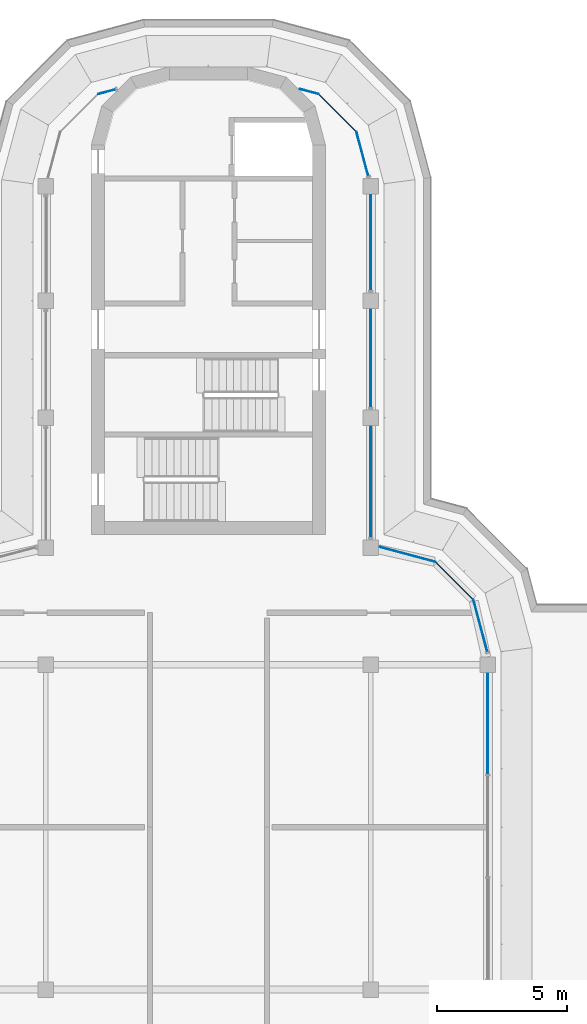
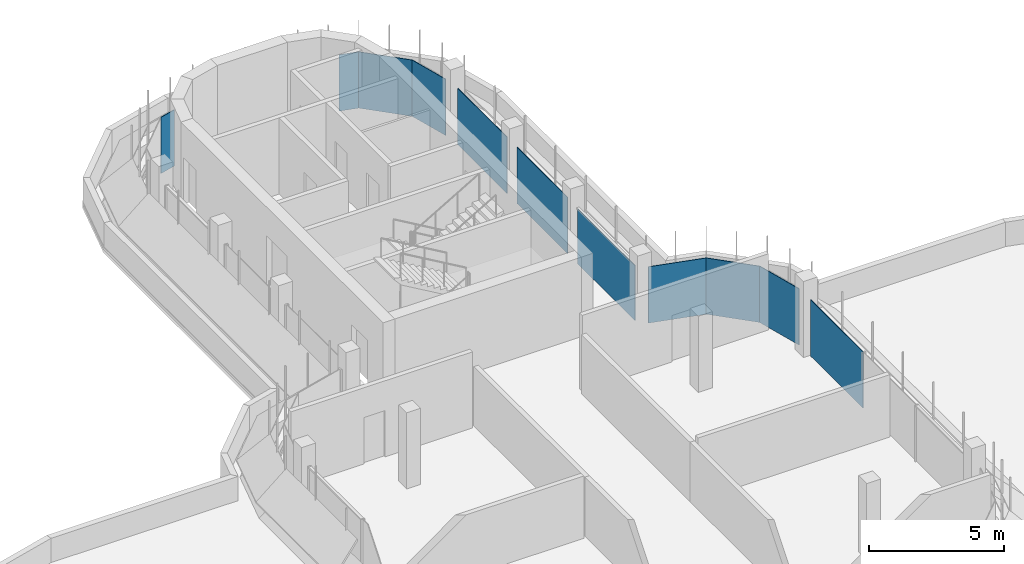
# One storey, part 7 of 13: 11 plates, 9 elements without a shape of their own.
"""IFC4 building model written with IfcOpenShell, lengths in metres."""

from ifc_helpers import new_model, si_unit, direction, frame, origin, place, context, subcontext, project, spatial, polyline, outline, extrude, source, transform, mapped, material, layer, layer_set, type_object, element, aggregate, save


model = new_model("IFC4")

# Units and contexts
model_context = context("Model", 3, precision=1e-05, world=origin(), true_north=direction((0.0, 1.0)))
body_context = subcontext(model_context, "Body", "Model", "MODEL_VIEW")
ifc_project = project(units=[si_unit("LENGTHUNIT", "METRE"), si_unit("AREAUNIT", "SQUARE_METRE"), si_unit("VOLUMEUNIT", "CUBIC_METRE"), si_unit("PLANEANGLEUNIT", "RADIAN"), si_unit("MASSUNIT", "GRAM", prefix="KILO")], contexts=[model_context])

# Site, building, storey
site_placement = place(None, origin())
site = spatial("IfcSite", under=ifc_project, at=site_placement, CompositionType="ELEMENT")
building_placement = place(site_placement, origin())
building = spatial("IfcBuilding", under=site, at=building_placement, Name="Zarbagh Exchange Tower", CompositionType="ELEMENT")
storey_placement = place(building_placement, frame((0.0, 0.0, 298.800048828125)))
storey = spatial("IfcBuildingStorey", under=building, at=storey_placement, Name="L73", CompositionType="ELEMENT", Elevation=298.800048828125)

# Curtain wall, plate
ifc_material_1 = material(Name="Anodised aluminium frame and glazing", Category="aluminium")
curtain_wall_type = type_object("IfcCurtainWallType", Name="CWF Crown tier glazing", PredefinedType="NOTDEFINED", material=ifc_material_1)
curtain_wall_1_placement = place(storey_placement, origin())
curtain_wall_1 = element("IfcCurtainWall", 1, at=curtain_wall_1_placement, inside=storey, type_object=curtain_wall_type, Name="CWF24 curtain wall", PredefinedType="NOTDEFINED")
ifc_material_2 = material(Name="Low-e double glazed unit, 6+12+6 mm")
ifc_layer = layer(ifc_material_2, 0.028076171875)
ifc_layer_set = layer_set([ifc_layer], Name="PAF Glazing panel, Low-e double glazed unit, 6+12+6 mm")
plate_type = type_object("IfcPlateType", Name="PAF Glazing panel, Low-e double glazed unit, 6+12+6 mm", PredefinedType="CURTAIN_PANEL", material=ifc_layer_set)
shared_shape_1 = source(origin(), body_context, "Body", "SweptSolid", [
    extrude(outline(polyline([(0.0, -0.013916015625), (0.697021484375, -0.013916015625), (0.697021484375, 0.013916015625), (0.0, 0.013916015625), (0.0, -0.013916015625)])), origin(), (0.0, 0.0, 1.0), 2.550048828125),
])
placement = place(storey_placement, origin())
plate_1 = element("IfcPlate", 2, at=placement, type_object=plate_type, Name="CWF24 glazing panel 1.1", PredefinedType="CURTAIN_PANEL", context=body_context, shape_type="MappedRepresentation", body=[
    mapped(shared_shape_1, transform((-3.56787109375, 28.379150390625, 0.0), x_axis=(-0.965924289636, -0.258824779902, 0.0), y_axis=(0.258824779902, -0.965924289636, 0.0), z_axis=(0.0, 0.0, 1.0))),
])
aggregate(curtain_wall_1, [plate_1])

curtain_wall_2_placement = place(storey_placement, origin())
curtain_wall_2 = element("IfcCurtainWall", 3, at=curtain_wall_2_placement, inside=storey, type_object=curtain_wall_type, Name="CWF18 curtain wall", PredefinedType="NOTDEFINED")
shared_shape_2 = source(origin(), body_context, "Body", "SweptSolid", [
    extrude(outline(polyline([(0.0, -0.013916015625), (2.061279296875, -0.013916015625), (2.061279296875, 0.013916015625), (0.0, 0.013916015625), (0.0, -0.013916015625)])), origin(), (0.0, 0.0, 1.0), 2.550048828125),
])
plate_2 = element("IfcPlate", 4, at=placement, type_object=plate_type, Name="CWF18 glazing panel 1.1", PredefinedType="CURTAIN_PANEL", context=body_context, shape_type="MappedRepresentation", body=[
    mapped(shared_shape_2, transform((10.19873046875, 8.7412109375, 0.0), x_axis=(-0.707106781187, 0.707106781187, 0.0), y_axis=(-0.707106781187, -0.707106781187, 0.0), z_axis=(0.0, 0.0, 1.0))),
])
aggregate(curtain_wall_2, [plate_2])

curtain_wall_3_placement = place(storey_placement, origin())
curtain_wall_3 = element("IfcCurtainWall", 5, at=curtain_wall_3_placement, inside=storey, type_object=curtain_wall_type, Name="CWF22 curtain wall", PredefinedType="NOTDEFINED")
plate_3 = element("IfcPlate", 6, at=placement, type_object=plate_type, Name="CWF22 glazing panel 1.1", PredefinedType="CURTAIN_PANEL", context=body_context, shape_type="MappedRepresentation", body=[
    mapped(shared_shape_2, transform((5.69873046875, 26.7412109375, 0.0), x_axis=(-0.707106781187, 0.707106781187, 0.0), y_axis=(-0.707106781187, -0.707106781187, 0.0), z_axis=(0.0, 0.0, 1.0))),
])
aggregate(curtain_wall_3, [plate_3])

curtain_wall_4_placement = place(storey_placement, origin())
curtain_wall_4 = element("IfcCurtainWall", 7, at=curtain_wall_4_placement, inside=storey, type_object=curtain_wall_type, Name="CWF20 curtain wall", PredefinedType="NOTDEFINED")
shared_shape_3 = source(origin(), body_context, "Body", "SweptSolid", [
    extrude(outline(polyline([(0.0, -0.013916015625), (3.760009765625, -0.013916015625), (3.760009765625, 0.013916015625), (0.0, 0.013916015625), (0.0, -0.013916015625)])), origin(), (0.0, 0.0, 1.0), 2.550048828125),
])
plate_4 = element("IfcPlate", 8, at=placement, type_object=plate_type, Name="CWF20 glazing panel 2.1", PredefinedType="CURTAIN_PANEL", context=body_context, shape_type="MappedRepresentation", body=[
    mapped(shared_shape_3, transform((6.25, 16.150146484375, 0.0), x_axis=(0.0, 1.0, 0.0), y_axis=(-1.0, 0.0, 0.0), z_axis=(0.0, 0.0, 1.0))),
])

curtain_wall_5_placement = place(storey_placement, origin())
curtain_wall_5 = element("IfcCurtainWall", 9, at=curtain_wall_5_placement, inside=storey, type_object=curtain_wall_type, Name="CWF19 curtain wall", PredefinedType="NOTDEFINED")
shared_shape_4 = source(origin(), body_context, "Body", "SweptSolid", [
    extrude(outline(polyline([(0.0, -0.013916015625), (2.22705078125, -0.013916015625), (2.22705078125, 0.013916015625), (0.0, 0.013916015625), (0.0, -0.013916015625)])), origin(), (0.0, 0.0, 1.0), 2.550048828125),
])
plate_5 = element("IfcPlate", 10, at=placement, type_object=plate_type, Name="CWF19 glazing panel 1.1", PredefinedType="CURTAIN_PANEL", context=body_context, shape_type="MappedRepresentation", body=[
    mapped(shared_shape_4, transform((8.7412109375, 10.19873046875, 0.0), x_axis=(-0.965924289636, 0.258824779902, 0.0), y_axis=(-0.258824779902, -0.965924289636, 0.0), z_axis=(0.0, 0.0, 1.0))),
])
aggregate(curtain_wall_5, [plate_5])

# Plate
shared_shape_5 = source(origin(), body_context, "Body", "SweptSolid", [
    extrude(outline(polyline([(0.0, -0.013916015625), (4.260009765625, -0.013916015625), (4.260009765625, 0.013916015625), (0.0, 0.013916015625), (0.0, -0.013916015625)])), origin(), (0.0, 0.0, 1.0), 2.489990234375),
])
plate_6 = element("IfcPlate", 11, at=placement, type_object=plate_type, Name="CWF20 glazing panel 1.1", PredefinedType="CURTAIN_PANEL", context=body_context, shape_type="MappedRepresentation", body=[
    mapped(shared_shape_5, transform((6.25, 11.150146484375, 0.0), x_axis=(0.0, 1.0, 0.0), y_axis=(-1.0, 0.0, 0.0), z_axis=(0.0, 0.0, 1.0))),
])

# Curtain wall, plate
curtain_wall_6_placement = place(storey_placement, origin())
curtain_wall_6 = element("IfcCurtainWall", 12, at=curtain_wall_6_placement, inside=storey, type_object=curtain_wall_type, Name="CWF17 curtain wall", PredefinedType="NOTDEFINED")
shared_shape_6 = source(origin(), body_context, "Body", "SweptSolid", [
    extrude(outline(polyline([(0.0, -0.013916015625), (2.069580078125, -0.013916015625), (2.069580078125, 0.013916015625), (0.0, 0.013916015625), (0.0, -0.013916015625)])), origin(), (0.0, 0.0, 1.0), 2.550048828125),
])
plate_7 = element("IfcPlate", 13, at=placement, type_object=plate_type, Name="CWF17 glazing panel 1.1", PredefinedType="CURTAIN_PANEL", context=body_context, shape_type="MappedRepresentation", body=[
    mapped(shared_shape_6, transform((10.734375, 6.7421875, 0.0), x_axis=(-0.258824779902, 0.965924289636, 0.0), y_axis=(-0.965924289636, -0.258824779902, 0.0), z_axis=(0.0, 0.0, 1.0))),
])
aggregate(curtain_wall_6, [plate_7])

# Plate
shared_shape_7 = source(origin(), body_context, "Body", "SweptSolid", [
    extrude(outline(polyline([(0.0, -0.013916015625), (3.659912109375, -0.013916015625), (3.659912109375, 0.013916015625), (0.0, 0.013916015625), (0.0, -0.013916015625)])), origin(), (0.0, 0.0, 1.0), 2.550048828125),
])
plate_8 = element("IfcPlate", 14, at=placement, type_object=plate_type, Name="CWF20 glazing panel 3.1", PredefinedType="CURTAIN_PANEL", context=body_context, shape_type="MappedRepresentation", body=[
    mapped(shared_shape_7, transform((6.25, 20.650146484375, 0.0), x_axis=(0.0, 1.0, 0.0), y_axis=(-1.0, 0.0, 0.0), z_axis=(0.0, 0.0, 1.0))),
])

aggregate(curtain_wall_4, [plate_6, plate_4, plate_8])

# Curtain wall, plate
curtain_wall_7_placement = place(storey_placement, origin())
curtain_wall_7 = element("IfcCurtainWall", 15, at=curtain_wall_7_placement, inside=storey, type_object=curtain_wall_type, Name="CWF21 curtain wall", PredefinedType="NOTDEFINED")
shared_shape_8 = source(origin(), body_context, "Body", "SweptSolid", [
    extrude(outline(polyline([(0.0, -0.013916015625), (1.7529296875, -0.013916015625), (1.7529296875, 0.013916015625), (0.0, 0.013916015625), (0.0, -0.013916015625)])), origin(), (0.0, 0.0, 1.0), 2.550048828125),
])
plate_9 = element("IfcPlate", 16, at=placement, type_object=plate_type, Name="CWF21 glazing panel 1.1", PredefinedType="CURTAIN_PANEL", context=body_context, shape_type="MappedRepresentation", body=[
    mapped(shared_shape_8, transform((6.152587890625, 25.0478515625, 0.0), x_axis=(-0.258824779902, 0.965924289636, 0.0), y_axis=(-0.965924289636, -0.258824779902, 0.0), z_axis=(0.0, 0.0, 1.0))),
])
aggregate(curtain_wall_7, [plate_9])

curtain_wall_8_placement = place(storey_placement, origin())
curtain_wall_8 = element("IfcCurtainWall", 17, at=curtain_wall_8_placement, inside=storey, type_object=curtain_wall_type, Name="CWF23 curtain wall", PredefinedType="NOTDEFINED")
shared_shape_9 = source(origin(), body_context, "Body", "SweptSolid", [
    extrude(outline(polyline([(0.0, -0.013916015625), (0.757080078125, -0.013916015625), (0.757080078125, 0.013916015625), (0.0, 0.013916015625), (0.0, -0.013916015625)])), origin(), (0.0, 0.0, 1.0), 2.550048828125),
])
plate_10 = element("IfcPlate", 18, at=placement, type_object=plate_type, Name="CWF23 glazing panel 1.1", PredefinedType="CURTAIN_PANEL", context=body_context, shape_type="MappedRepresentation", body=[
    mapped(shared_shape_9, transform((4.2412109375, 28.19873046875, 0.0), x_axis=(-0.965924289636, 0.258824779902, 0.0), y_axis=(-0.258824779902, -0.965924289636, 0.0), z_axis=(0.0, 0.0, 1.0))),
])
aggregate(curtain_wall_8, [plate_10])

curtain_wall_9_placement = place(storey_placement, origin())
curtain_wall_9 = element("IfcCurtainWall", 19, at=curtain_wall_9_placement, inside=storey, type_object=curtain_wall_type, Name="CWF47 curtain wall", PredefinedType="NOTDEFINED")
shared_shape_10 = source(origin(), body_context, "Body", "SweptSolid", [
    extrude(outline(polyline([(0.0, -0.013916015625), (3.8798828125, -0.013916015625), (3.8798828125, 0.013916015625), (0.0, 0.013916015625), (0.0, -0.013916015625)])), origin(), (0.0, 0.0, 1.0), 2.550048828125),
])
plate_11 = element("IfcPlate", 20, at=placement, type_object=plate_type, Name="CWF47 glazing panel 1.3", PredefinedType="CURTAIN_PANEL", context=body_context, shape_type="MappedRepresentation", body=[
    mapped(shared_shape_10, transform((10.75, 2.030029296875, 0.0), x_axis=(0.0, 1.0, 0.0), y_axis=(-1.0, 0.0, 0.0), z_axis=(0.0, 0.0, 1.0))),
])
aggregate(curtain_wall_9, [plate_11])

save(model, "model.ifc")
